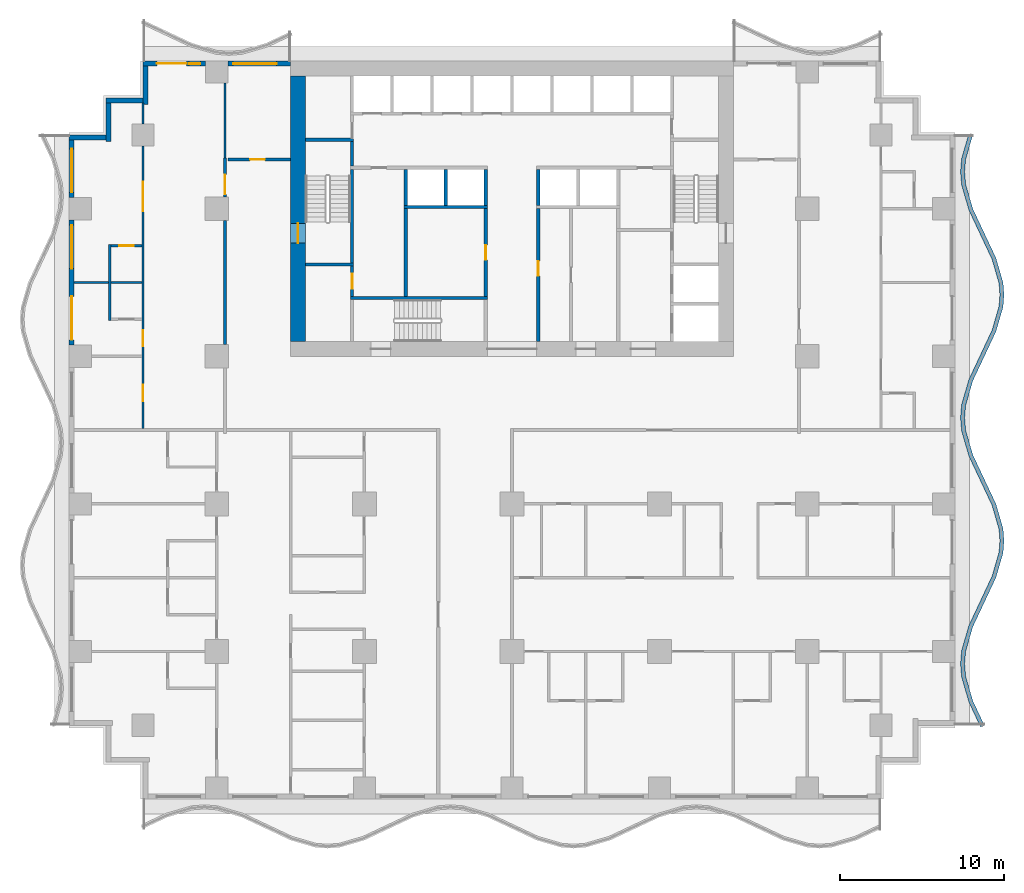
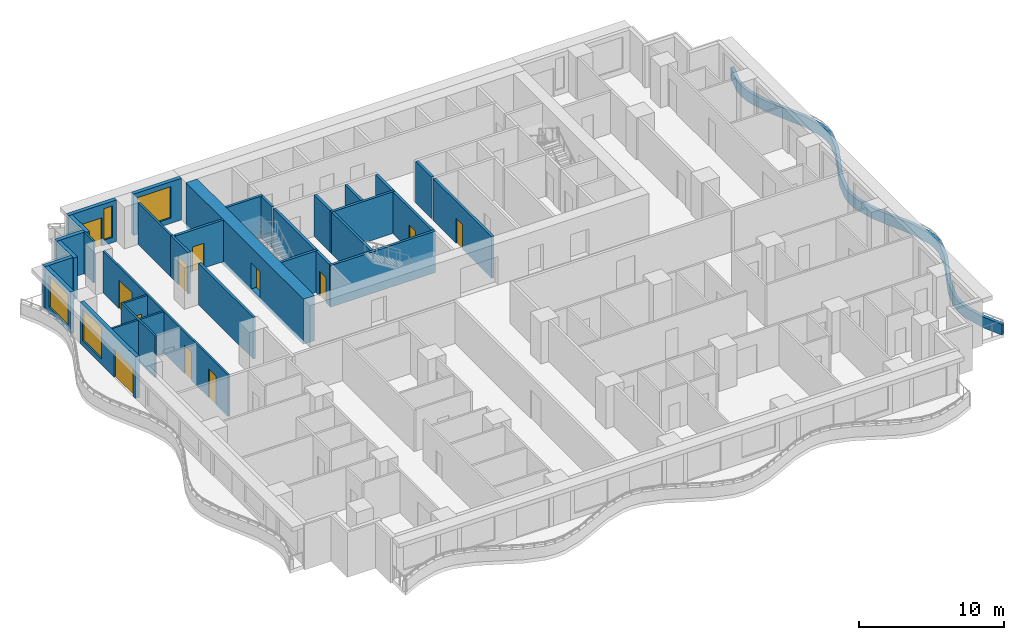
# One storey, part 5 of 14: 34 walls, 12 doors, 4 windows, 16 openings.
"""IFC4 building model written with IfcOpenShell, lengths in metres."""

from ifc_helpers import new_model, si_unit, direction, frame, frame_2d, origin, place, context, subcontext, project, spatial, polyline, rectangle, outline, extrude, material, layer, layer_set, type_object, element, fill, save


model = new_model("IFC4")

# Units and contexts
model_context = context("Model", 3, precision=1e-05, world=origin(), true_north=direction((0.0, 1.0)))
body_context = subcontext(model_context, "Body", "Model", "MODEL_VIEW")
ifc_project = project(units=[si_unit("LENGTHUNIT", "METRE"), si_unit("AREAUNIT", "SQUARE_METRE"), si_unit("VOLUMEUNIT", "CUBIC_METRE"), si_unit("PLANEANGLEUNIT", "RADIAN"), si_unit("MASSUNIT", "GRAM", prefix="KILO")], contexts=[model_context])

# Site, building, storey
site_placement = place(None, origin())
site = spatial("IfcSite", under=ifc_project, at=site_placement, CompositionType="ELEMENT")
building_placement = place(site_placement, origin())
building = spatial("IfcBuilding", under=site, at=building_placement, Name="Orbiselva Terraces", CompositionType="ELEMENT")
storey_placement = place(building_placement, frame((0.0, 0.0, 60.6)))
storey = spatial("IfcBuildingStorey", under=building, at=storey_placement, Name="L15", CompositionType="ELEMENT", Elevation=60.6)

# Wall, opening, door
ifc_material_1 = material(Name="Concrete C80/95", Category="concrete")
ifc_layer_1 = layer(ifc_material_1, 0.9)
ifc_layer_set_1 = layer_set([ifc_layer_1], Name="Concrete C80/95")
wall_type_1 = type_object("IfcWallType", Name="CORE WALL 900", PredefinedType="SHEAR", material=ifc_layer_set_1)
wall_1_placement = place(storey_placement, frame((-13.05, 21.6, -0.3), z_axis=(0.0, 0.0, 1.0), x_axis=(0.0, -1.0, 0.0)))
wall_1 = element("IfcWall", 1, at=wall_1_placement, inside=storey, type_object=wall_type_1, Name="Core wall L15 west", PredefinedType="SHEAR", context=body_context, shape_type="SweptSolid", body=[
    extrude(rectangle(XDim=16.2, YDim=0.9, at=frame_2d((8.1, 0.0))), origin(), (0.0, 0.0, 1.0), 3.8),
])
opening_1_placement = place(wall_1_placement, frame((9.0, 0.0, 0.3)))
opening_1 = element("IfcOpeningElement", 2, at=opening_1_placement, cuts=wall_1, Name="Opening DS1200", PredefinedType="OPENING", context=body_context, shape_type="SweptSolid", body=[
    extrude(rectangle(XDim=1.2, YDim=2.2, at=frame_2d((0.6, 1.1))), frame((0.0, 0.46, 0.0), z_axis=(0.0, -1.0, 0.0), x_axis=(1.0, 0.0, 0.0)), (0.0, 0.0, 1.0), 0.92),
])
ifc_material_2 = material(Name="Steel fire door", Category="steel")
door_type_1 = type_object("IfcDoorType", Name="STAIR DOOR 1200", OperationType="NOTDEFINED", PredefinedType="DOOR", material=ifc_material_2)
door_1_placement = place(opening_1_placement, frame((1.2, 0.0, 0.0), z_axis=(0.0, 0.0, 1.0), x_axis=(-1.0, 0.0, 0.0)))
door_1 = element("IfcDoor", 3, at=door_1_placement, inside=storey, type_object=door_type_1, Name="L15 EXIT STAIR S1 door", OperationType="SINGLE_SWING_RIGHT", OverallHeight=2.2, OverallWidth=1.2, PredefinedType="DOOR", context=body_context, shape_type="SweptSolid", body=[
    extrude(rectangle(XDim=1.2, YDim=2.2, at=frame_2d((0.6, 1.1))), frame((0.0, 0.025, 0.0), z_axis=(0.0, -1.0, 0.0), x_axis=(1.0, 0.0, 0.0)), (0.0, 0.0, 1.0), 0.05),
])
fill(opening_1, door_1)

ifc_material_3 = material(Name="Masonry blockwork", Category="masonry")
ifc_layer_2 = layer(ifc_material_3, 0.2)
ifc_layer_set_2 = layer_set([ifc_layer_2], Name="Masonry blockwork")
wall_type_2 = type_object("IfcWallType", Name="CORE-WALL-PARTITION-200", PredefinedType="PARTITIONING", material=ifc_layer_set_2)
wall_2_placement = place(storey_placement, frame((-9.75, 8.15, 0.0), z_axis=(0.0, 0.0, 1.0), x_axis=(0.0, 1.0, 0.0)))
wall_2 = element("IfcWall", 4, at=wall_2_placement, inside=storey, type_object=wall_type_2, Name="L15 core wall 05", PredefinedType="PARTITIONING", context=body_context, shape_type="SweptSolid", body=[
    extrude(rectangle(XDim=1.85, YDim=0.2, at=frame_2d((0.925, 0.0))), origin(), (0.0, 0.0, 1.0), 3.5),
])
opening_2_placement = place(wall_2_placement, frame((0.475, 0.0, 0.0)))
opening_2 = element("IfcOpeningElement", 5, at=opening_2_placement, cuts=wall_2, Name="Opening DR900", PredefinedType="OPENING", context=body_context, shape_type="SweptSolid", body=[
    extrude(rectangle(XDim=0.9, YDim=2.1, at=frame_2d((0.45, 1.05))), frame((0.0, 0.11, 0.0), z_axis=(0.0, -1.0, 0.0), x_axis=(1.0, 0.0, 0.0)), (0.0, 0.0, 1.0), 0.22),
])
door_type_2 = type_object("IfcDoorType", Name="ROOM DOOR 900", OperationType="NOTDEFINED", PredefinedType="DOOR", material=ifc_material_2)
door_2_placement = place(opening_2_placement, origin())
door_2 = element("IfcDoor", 6, at=door_2_placement, inside=storey, type_object=door_type_2, Name="L15 STAFF WC door", OperationType="SINGLE_SWING_RIGHT", OverallHeight=2.1, OverallWidth=0.9, PredefinedType="DOOR", context=body_context, shape_type="SweptSolid", body=[
    extrude(rectangle(XDim=0.9, YDim=2.1, at=frame_2d((0.45, 1.05))), frame((0.0, 0.025, 0.0), z_axis=(0.0, -1.0, 0.0), x_axis=(1.0, 0.0, 0.0)), (0.0, 0.0, 1.0), 0.05),
])
fill(opening_2, door_2)

# Walls
wall_3_placement = place(storey_placement, frame((-6.475, 8.15, 0.0), z_axis=(0.0, 0.0, 1.0), x_axis=(0.0, 1.0, 0.0)))
element("IfcWall", 7, at=wall_3_placement, inside=storey, type_object=wall_type_2, Name="L15 core wall 13", PredefinedType="PARTITIONING", context=body_context, shape_type="SweptSolid", body=[
    extrude(rectangle(XDim=5.35, YDim=0.2, at=frame_2d((2.675, 0.0))), origin(), (0.0, 0.0, 1.0), 3.5),
])
ifc_material_4 = material(Name="Concrete C40/50", Category="concrete")
ifc_layer_3 = layer(ifc_material_4, 0.2)
ifc_layer_set_3 = layer_set([ifc_layer_3], Name="Concrete C40/50")
wall_type_3 = type_object("IfcWallType", Name="CORE-WALL-SHAFT-200", PredefinedType="PARTITIONING", material=ifc_layer_set_3)
for number, where, z_axis, x_axis, name in (
    (8, (-6.475, 13.7, 0.0), (0.0, 0.0, 1.0), (0.0, 1.0, 0.0), "L15 core wall 15"),
    (9, (-4.0375, 13.7, 0.0), (0.0, 0.0, 1.0), (0.0, 1.0, 0.0), "L15 core wall 17"),
    (10, (-1.6, 13.7, 0.0), (0.0, 0.0, 1.0), (0.0, 1.0, 0.0), "L15 core wall 21"),
    (11, (1.6, 13.7, 0.0), (0.0, 0.0, 1.0), (0.0, 1.0, 0.0), "L15 core wall 25"),
):
    element("IfcWall", number, at=place(storey_placement, frame(where, z_axis=z_axis, x_axis=x_axis)), inside=storey, type_object=wall_type_3, Name=name, PredefinedType="PARTITIONING", context=body_context, shape_type="SweptSolid", body=[
        extrude(rectangle(XDim=2.2, YDim=0.2, at=frame_2d((1.1, 0.0))), origin(), (0.0, 0.0, 1.0), 3.5),
    ])
ifc_material_5 = material(Name="Concrete C60/75", Category="concrete")
ifc_layer_4 = layer(ifc_material_5, 0.2)
ifc_layer_set_4 = layer_set([ifc_layer_4], Name="Concrete C60/75")
wall_type_4 = type_object("IfcWallType", Name="CORE-WALL-SHEAR-200", PredefinedType="SHEAR", material=ifc_layer_set_4)
for number, where, z_axis, x_axis, name in (
    (12, (-12.6, 10.1, 0.0), (0.0, 0.0, 1.0), (1.0, 0.0, 0.0), "L15 core wall 01"),
    (13, (-12.6, 17.7, 0.0), (0.0, 0.0, 1.0), (1.0, 0.0, 0.0), "L15 core wall 02"),
):
    element("IfcWall", number, at=place(storey_placement, frame(where, z_axis=z_axis, x_axis=x_axis)), inside=storey, type_object=wall_type_4, Name=name, PredefinedType="SHEAR", context=body_context, shape_type="SweptSolid", body=[
        extrude(rectangle(XDim=2.95, YDim=0.2, at=frame_2d((1.475, 0.0))), origin(), (0.0, 0.0, 1.0), 3.5),
    ])
wall_4_placement = place(storey_placement, frame((-9.85, 8.05, 0.0), z_axis=(0.0, 0.0, 1.0), x_axis=(1.0, 0.0, 0.0)))
element("IfcWall", 14, at=wall_4_placement, inside=storey, type_object=wall_type_4, Name="L15 core wall 04", PredefinedType="SHEAR", context=body_context, shape_type="SweptSolid", body=[
    extrude(rectangle(XDim=8.35, YDim=0.2, at=frame_2d((4.175, 0.0))), origin(), (0.0, 0.0, 1.0), 3.5),
])
wall_5_placement = place(storey_placement, frame((-9.75, 10.2, 0.0), z_axis=(0.0, 0.0, 1.0), x_axis=(0.0, 1.0, 0.0)))
element("IfcWall", 15, at=wall_5_placement, inside=storey, type_object=wall_type_4, Name="L15 core wall 06", PredefinedType="SHEAR", context=body_context, shape_type="SweptSolid", body=[
    extrude(rectangle(XDim=5.7, YDim=0.2, at=frame_2d((2.85, 0.0))), origin(), (0.0, 0.0, 1.0), 3.5),
])
wall_6_placement = place(storey_placement, frame((-9.75, 16.1, 0.0), z_axis=(0.0, 0.0, 1.0), x_axis=(0.0, 1.0, 0.0)))
element("IfcWall", 16, at=wall_6_placement, inside=storey, type_object=wall_type_4, Name="L15 core wall 08", PredefinedType="SHEAR", context=body_context, shape_type="SweptSolid", body=[
    extrude(rectangle(XDim=1.5, YDim=0.2, at=frame_2d((0.75, 0.0))), origin(), (0.0, 0.0, 1.0), 3.5),
])
wall_7_placement = place(storey_placement, frame((-6.575, 13.6, 0.0), z_axis=(0.0, 0.0, 1.0), x_axis=(1.0, 0.0, 0.0)))
element("IfcWall", 17, at=wall_7_placement, inside=storey, type_object=wall_type_4, Name="L15 core wall 14", PredefinedType="SHEAR", context=body_context, shape_type="SweptSolid", body=[
    extrude(rectangle(XDim=5.075, YDim=0.2, at=frame_2d((2.5375, 0.0))), origin(), (0.0, 0.0, 1.0), 3.5),
])

# Wall, opening, door
wall_8_placement = place(storey_placement, frame((-1.6, 8.15, 0.0), z_axis=(0.0, 0.0, 1.0), x_axis=(0.0, 1.0, 0.0)))
wall_8 = element("IfcWall", 18, at=wall_8_placement, inside=storey, type_object=wall_type_4, Name="L15 core wall 20", PredefinedType="SHEAR", context=body_context, shape_type="SweptSolid", body=[
    extrude(rectangle(XDim=5.35, YDim=0.2, at=frame_2d((2.675, 0.0))), origin(), (0.0, 0.0, 1.0), 3.5),
])
opening_3_placement = place(wall_8_placement, frame((2.225, 0.0, 0.0)))
opening_3 = element("IfcOpeningElement", 19, at=opening_3_placement, cuts=wall_8, Name="Opening DR900", PredefinedType="OPENING", context=body_context, shape_type="SweptSolid", body=[
    extrude(rectangle(XDim=0.9, YDim=2.1, at=frame_2d((0.45, 1.05))), frame((0.0, 0.11, 0.0), z_axis=(0.0, -1.0, 0.0), x_axis=(1.0, 0.0, 0.0)), (0.0, 0.0, 1.0), 0.22),
])
door_3_placement = place(opening_3_placement, origin())
door_3 = element("IfcDoor", 20, at=door_3_placement, inside=storey, type_object=door_type_2, Name="L15 HOUSEKEEPING STORE door", OperationType="SINGLE_SWING_RIGHT", OverallHeight=2.1, OverallWidth=0.9, PredefinedType="DOOR", context=body_context, shape_type="SweptSolid", body=[
    extrude(rectangle(XDim=0.9, YDim=2.1, at=frame_2d((0.45, 1.05))), frame((0.0, 0.025, 0.0), z_axis=(0.0, -1.0, 0.0), x_axis=(1.0, 0.0, 0.0)), (0.0, 0.0, 1.0), 0.05),
])
fill(opening_3, door_3)

wall_9_placement = place(storey_placement, frame((1.6, 13.5, 0.0), z_axis=(0.0, 0.0, 1.0), x_axis=(0.0, -1.0, 0.0)))
wall_9 = element("IfcWall", 21, at=wall_9_placement, inside=storey, type_object=wall_type_4, Name="L15 core wall 23", PredefinedType="SHEAR", context=body_context, shape_type="SweptSolid", body=[
    extrude(rectangle(XDim=8.1, YDim=0.2, at=frame_2d((4.05, 0.0))), origin(), (0.0, 0.0, 1.0), 3.5),
])
opening_4_placement = place(wall_9_placement, frame((3.2, 0.0, 0.0)))
opening_4 = element("IfcOpeningElement", 22, at=opening_4_placement, cuts=wall_9, Name="Opening DR900", PredefinedType="OPENING", context=body_context, shape_type="SweptSolid", body=[
    extrude(rectangle(XDim=0.9, YDim=2.1, at=frame_2d((0.45, 1.05))), frame((0.0, 0.11, 0.0), z_axis=(0.0, -1.0, 0.0), x_axis=(1.0, 0.0, 0.0)), (0.0, 0.0, 1.0), 0.22),
])
door_4_placement = place(opening_4_placement, origin())
door_4 = element("IfcDoor", 23, at=door_4_placement, inside=storey, type_object=door_type_2, Name="L15 COMMS ROOM door", OperationType="SINGLE_SWING_LEFT", OverallHeight=2.1, OverallWidth=0.9, PredefinedType="DOOR", context=body_context, shape_type="SweptSolid", body=[
    extrude(rectangle(XDim=0.9, YDim=2.1, at=frame_2d((0.45, 1.05))), frame((0.0, 0.025, 0.0), z_axis=(0.0, -1.0, 0.0), x_axis=(1.0, 0.0, 0.0)), (0.0, 0.0, 1.0), 0.05),
])
fill(opening_4, door_4)

# Wall
ifc_layer_5 = layer(ifc_material_4, 0.25)
ifc_layer_set_5 = layer_set([ifc_layer_5], Name="Concrete C40/50")
wall_type_5 = type_object("IfcWallType", Name="ENV-PLANTER-250x900", PredefinedType="USERDEFINED", material=ifc_layer_set_5)
wall_10_placement = place(storey_placement, origin())
element("IfcWall", 24, at=wall_10_placement, inside=storey, type_object=wall_type_5, Name="Balcony planter L15 E", ObjectType="PLANTER", PredefinedType="USERDEFINED", context=body_context, shape_type="SweptSolid", body=[
    extrude(outline(polyline([(28.8, -18.0), (28.094658, -16.5), (27.658732, -15.0), (27.6, -14.25), (27.658732, -13.5), (28.094658, -12.0), (28.8, -10.5), (29.505342, -9.0), (29.941268, -7.5), (30.0, -6.75), (29.941268, -6.0), (29.505342, -4.5), (28.8, -3.0), (28.094658, -1.5), (27.658732, 0.0), (27.6, 0.75), (27.658732, 1.5), (28.094658, 3.0), (28.8, 4.5), (29.505342, 6.0), (29.941268, 7.5), (30.0, 8.25), (29.941268, 9.0), (29.505342, 10.5), (28.8, 12.0), (28.094658, 13.5), (27.658732, 15.0), (27.6, 15.75), (27.658732, 16.5), (28.094658, 18.0), (27.85459, 18.069768), (27.411499, 16.545114), (27.349235, 15.75), (27.411499, 14.954886), (27.860069, 13.411382), (28.573764, 11.893617), (29.270753, 10.411382), (29.694035, 8.954886), (29.749235, 8.25), (29.694035, 7.545114), (29.270753, 6.088618), (28.573764, 4.606383), (27.860069, 3.088618), (27.411499, 1.545114), (27.349235, 0.75), (27.411499, -0.045114), (27.860069, -1.588618), (28.573764, -3.106383), (29.270753, -4.588618), (29.694035, -6.045114), (29.749235, -6.75), (29.694035, -7.454886), (29.270753, -8.911382), (28.573764, -10.393617), (27.860069, -11.911382), (27.411499, -13.454886), (27.349235, -14.25), (27.411499, -15.045114), (27.860069, -16.588618), (28.573764, -18.106383), (28.8, -18.0)])), origin(), (0.0, 0.0, 1.0), 0.9),
])

# Wall, opening, window
ifc_material_6 = material(Name="Terracotta cladding on masonry backing", Category="masonry")
ifc_layer_6 = layer(ifc_material_6, 0.3)
ifc_layer_set_6 = layer_set([ifc_layer_6], Name="Terracotta cladding on masonry backing")
wall_type_6 = type_object("IfcWallType", Name="ENV-WALL-TERRACOTTA-300", PredefinedType="SOLIDWALL", material=ifc_layer_set_6)
wall_11_placement = place(storey_placement, frame((-17.325, 22.35, 0.0), z_axis=(0.0, 0.0, 1.0), x_axis=(1.0, 0.0, 0.0)))
wall_11 = element("IfcWall", 25, at=wall_11_placement, inside=storey, type_object=wall_type_6, Name="Facade wall L15 NW", PredefinedType="SOLIDWALL", context=body_context, shape_type="SweptSolid", body=[
    extrude(rectangle(XDim=3.825, YDim=0.3, at=frame_2d((1.9125, 0.0))), origin(), (0.0, 0.0, 1.0), 3.5),
])
opening_5_placement = place(wall_11_placement, frame((0.325, 0.0, 0.45)))
opening_5 = element("IfcOpeningElement", 26, at=opening_5_placement, cuts=wall_11, Name="Opening WN3", PredefinedType="OPENING", context=body_context, shape_type="SweptSolid", body=[
    extrude(rectangle(XDim=2.65, YDim=2.65, at=frame_2d((1.325, 1.325))), frame((0.0, 0.16, 0.0), z_axis=(0.0, -1.0, 0.0), x_axis=(1.0, 0.0, 0.0)), (0.0, 0.0, 1.0), 0.32),
])
ifc_material_7 = material(Name="Clear low-e glazing in aluminium frame", Category="aluminium")
window_type_1 = type_object("IfcWindowType", Name="WINDOW 2650 X 2650 S450", PartitioningType="TRIPLE_PANEL_VERTICAL", PredefinedType="WINDOW", material=ifc_material_7)
window_1_placement = place(opening_5_placement, origin())
window_1 = element("IfcWindow", 27, at=window_1_placement, inside=storey, type_object=window_type_1, Name="Window L15 NW", OverallHeight=2.65, OverallWidth=2.65, PartitioningType="SINGLE_PANEL", PredefinedType="WINDOW", context=body_context, shape_type="SweptSolid", body=[
    extrude(rectangle(XDim=2.65, YDim=2.65, at=frame_2d((1.325, 1.325))), frame((0.0, 0.03, 0.0), z_axis=(0.0, -1.0, 0.0), x_axis=(1.0, 0.0, 0.0)), (0.0, 0.0, 1.0), 0.06),
])
fill(opening_5, window_1)

# Wall, openings, door, window
wall_12_placement = place(storey_placement, frame((-22.5, 22.35, 0.0), z_axis=(0.0, 0.0, 1.0), x_axis=(1.0, 0.0, 0.0)))
wall_12 = element("IfcWall", 28, at=wall_12_placement, inside=storey, type_object=wall_type_6, Name="Facade wall L15 NW", PredefinedType="SOLIDWALL", context=body_context, shape_type="SweptSolid", body=[
    extrude(rectangle(XDim=3.825, YDim=0.3, at=frame_2d((1.9125, 0.0))), origin(), (0.0, 0.0, 1.0), 3.5),
])
opening_6_placement = place(wall_12_placement, frame((2.8, 0.0, 0.45)))
opening_6 = element("IfcOpeningElement", 29, at=opening_6_placement, cuts=wall_12, Name="Opening WN4", PredefinedType="OPENING", context=body_context, shape_type="SweptSolid", body=[
    extrude(rectangle(XDim=0.7, YDim=2.65, at=frame_2d((0.35, 1.325))), frame((0.0, 0.16, 0.0), z_axis=(0.0, -1.0, 0.0), x_axis=(1.0, 0.0, 0.0)), (0.0, 0.0, 1.0), 0.32),
])
opening_7_placement = place(wall_12_placement, frame((0.85, 0.0, 0.0)))
opening_7 = element("IfcOpeningElement", 30, at=opening_7_placement, cuts=wall_12, Name="Opening Z1-E-E16", PredefinedType="OPENING", context=body_context, shape_type="SweptSolid", body=[
    extrude(rectangle(XDim=1.8, YDim=2.4, at=frame_2d((0.9, 1.2))), frame((0.0, 0.16, 0.0), z_axis=(0.0, -1.0, 0.0), x_axis=(1.0, 0.0, 0.0)), (0.0, 0.0, 1.0), 0.32),
])
door_type_3 = type_object("IfcDoorType", Name="BALCONY DOOR 1800 X 2400", OperationType="DOUBLE_DOOR_SLIDING", PredefinedType="DOOR", material=ifc_material_7)
door_5_placement = place(opening_7_placement, origin())
door_5 = element("IfcDoor", 31, at=door_5_placement, inside=storey, type_object=door_type_3, Name="Z1-E-E16", OperationType="SINGLE_SWING_LEFT", OverallHeight=2.4, OverallWidth=1.8, PredefinedType="DOOR", context=body_context, shape_type="SweptSolid", body=[
    extrude(rectangle(XDim=1.8, YDim=2.4, at=frame_2d((0.9, 1.2))), frame((0.0, 0.025, 0.0), z_axis=(0.0, -1.0, 0.0), x_axis=(1.0, 0.0, 0.0)), (0.0, 0.0, 1.0), 0.05),
])
fill(opening_7, door_5)
window_type_2 = type_object("IfcWindowType", Name="WINDOW 700 X 2650 S450", PartitioningType="TRIPLE_PANEL_VERTICAL", PredefinedType="WINDOW", material=ifc_material_7)
window_2_placement = place(opening_6_placement, origin())
window_2 = element("IfcWindow", 32, at=window_2_placement, inside=storey, type_object=window_type_2, Name="Window L15 NW", OverallHeight=2.65, OverallWidth=0.7, PartitioningType="SINGLE_PANEL", PredefinedType="WINDOW", context=body_context, shape_type="SweptSolid", body=[
    extrude(rectangle(XDim=0.7, YDim=2.65, at=frame_2d((0.35, 1.325))), frame((0.0, 0.03, 0.0), z_axis=(0.0, -1.0, 0.0), x_axis=(1.0, 0.0, 0.0)), (0.0, 0.0, 1.0), 0.06),
])
fill(opening_6, window_2)

# Walls
wall_13_placement = place(storey_placement, frame((-22.35, 19.85, 0.0), z_axis=(0.0, 0.0, 1.0), x_axis=(0.0, 1.0, 0.0)))
element("IfcWall", 33, at=wall_13_placement, inside=storey, type_object=wall_type_6, Name="Facade wall L15 STEP", PredefinedType="SOLIDWALL", context=body_context, shape_type="SweptSolid", body=[
    extrude(rectangle(XDim=2.35, YDim=0.3, at=frame_2d((1.175, 0.0))), origin(), (0.0, 0.0, 1.0), 3.5),
])
wall_14_placement = place(storey_placement, frame((-24.75, 20.1, 0.0), z_axis=(0.0, 0.0, 1.0), x_axis=(1.0, 0.0, 0.0)))
element("IfcWall", 34, at=wall_14_placement, inside=storey, type_object=wall_type_6, Name="Facade wall L15 STEP", PredefinedType="SOLIDWALL", context=body_context, shape_type="SweptSolid", body=[
    extrude(rectangle(XDim=2.25, YDim=0.3, at=frame_2d((1.125, 0.0))), origin(), (0.0, 0.0, 1.0), 3.5),
])
wall_15_placement = place(storey_placement, frame((-24.6, 17.6, 0.0), z_axis=(0.0, 0.0, 1.0), x_axis=(0.0, 1.0, 0.0)))
element("IfcWall", 35, at=wall_15_placement, inside=storey, type_object=wall_type_6, Name="Facade wall L15 STEP", PredefinedType="SOLIDWALL", context=body_context, shape_type="SweptSolid", body=[
    extrude(rectangle(XDim=2.35, YDim=0.3, at=frame_2d((1.175, 0.0))), origin(), (0.0, 0.0, 1.0), 3.5),
])
wall_16_placement = place(storey_placement, frame((-27.0, 17.85, 0.0), z_axis=(0.0, 0.0, 1.0), x_axis=(1.0, 0.0, 0.0)))
element("IfcWall", 36, at=wall_16_placement, inside=storey, type_object=wall_type_6, Name="Facade wall L15 STEP", PredefinedType="SOLIDWALL", context=body_context, shape_type="SweptSolid", body=[
    extrude(rectangle(XDim=2.25, YDim=0.3, at=frame_2d((1.125, 0.0))), origin(), (0.0, 0.0, 1.0), 3.5),
])

# Wall, opening, window
wall_17_placement = place(storey_placement, frame((-26.85, 14.175, 0.0), z_axis=(0.0, 0.0, 1.0), x_axis=(0.0, 1.0, 0.0)))
wall_17 = element("IfcWall", 37, at=wall_17_placement, inside=storey, type_object=wall_type_6, Name="Facade wall L15 W", PredefinedType="SOLIDWALL", context=body_context, shape_type="SweptSolid", body=[
    extrude(rectangle(XDim=3.525, YDim=0.3, at=frame_2d((1.7625, 0.0))), origin(), (0.0, 0.0, 1.0), 3.5),
])
opening_8_placement = place(wall_17_placement, frame((0.325, 0.0, 0.45)))
opening_8 = element("IfcOpeningElement", 38, at=opening_8_placement, cuts=wall_17, Name="Opening WN3", PredefinedType="OPENING", context=body_context, shape_type="SweptSolid", body=[
    extrude(rectangle(XDim=2.65, YDim=2.65, at=frame_2d((1.325, 1.325))), frame((0.0, 0.16, 0.0), z_axis=(0.0, -1.0, 0.0), x_axis=(1.0, 0.0, 0.0)), (0.0, 0.0, 1.0), 0.32),
])
window_3_placement = place(opening_8_placement, origin())
window_3 = element("IfcWindow", 39, at=window_3_placement, inside=storey, type_object=window_type_1, Name="Window L15 W", OverallHeight=2.65, OverallWidth=2.65, PartitioningType="SINGLE_PANEL", PredefinedType="WINDOW", context=body_context, shape_type="SweptSolid", body=[
    extrude(rectangle(XDim=2.65, YDim=2.65, at=frame_2d((1.325, 1.325))), frame((0.0, 0.03, 0.0), z_axis=(0.0, -1.0, 0.0), x_axis=(1.0, 0.0, 0.0)), (0.0, 0.0, 1.0), 0.06),
])
fill(opening_8, window_3)

# Wall, openings, door, window
wall_18_placement = place(storey_placement, frame((-26.85, 5.175, 0.0), z_axis=(0.0, 0.0, 1.0), x_axis=(0.0, 1.0, 0.0)))
wall_18 = element("IfcWall", 40, at=wall_18_placement, inside=storey, type_object=wall_type_6, Name="Facade wall L15 W", PredefinedType="SOLIDWALL", context=body_context, shape_type="SweptSolid", body=[
    extrude(rectangle(XDim=7.65, YDim=0.3, at=frame_2d((3.825, 0.0))), origin(), (0.0, 0.0, 1.0), 3.5),
])
opening_9_placement = place(wall_18_placement, frame((4.675, 0.0, 0.45)))
opening_9 = element("IfcOpeningElement", 41, at=opening_9_placement, cuts=wall_18, Name="Opening WN3", PredefinedType="OPENING", context=body_context, shape_type="SweptSolid", body=[
    extrude(rectangle(XDim=2.65, YDim=2.65, at=frame_2d((1.325, 1.325))), frame((0.0, 0.16, 0.0), z_axis=(0.0, -1.0, 0.0), x_axis=(1.0, 0.0, 0.0)), (0.0, 0.0, 1.0), 0.32),
])
opening_10_placement = place(wall_18_placement, frame((0.325, 0.0, 0.0)))
opening_10 = element("IfcOpeningElement", 42, at=opening_10_placement, cuts=wall_18, Name="Opening Z1-E-E10", PredefinedType="OPENING", context=body_context, shape_type="SweptSolid", body=[
    extrude(rectangle(XDim=2.65, YDim=2.4, at=frame_2d((1.325, 1.2))), frame((0.0, 0.16, 0.0), z_axis=(0.0, -1.0, 0.0), x_axis=(1.0, 0.0, 0.0)), (0.0, 0.0, 1.0), 0.32),
])
door_type_4 = type_object("IfcDoorType", Name="BALCONY DOOR 2650 X 2400", OperationType="DOUBLE_DOOR_SLIDING", PredefinedType="DOOR", material=ifc_material_7)
door_6_placement = place(opening_10_placement, origin())
door_6 = element("IfcDoor", 43, at=door_6_placement, inside=storey, type_object=door_type_4, Name="Z1-E-E10", OperationType="SINGLE_SWING_LEFT", OverallHeight=2.4, OverallWidth=2.65, PredefinedType="DOOR", context=body_context, shape_type="SweptSolid", body=[
    extrude(rectangle(XDim=2.65, YDim=2.4, at=frame_2d((1.325, 1.2))), frame((0.0, 0.025, 0.0), z_axis=(0.0, -1.0, 0.0), x_axis=(1.0, 0.0, 0.0)), (0.0, 0.0, 1.0), 0.05),
])
fill(opening_10, door_6)
window_4_placement = place(opening_9_placement, origin())
window_4 = element("IfcWindow", 44, at=window_4_placement, inside=storey, type_object=window_type_1, Name="Window L15 W", OverallHeight=2.65, OverallWidth=2.65, PartitioningType="SINGLE_PANEL", PredefinedType="WINDOW", context=body_context, shape_type="SweptSolid", body=[
    extrude(rectangle(XDim=2.65, YDim=2.65, at=frame_2d((1.325, 1.325))), frame((0.0, 0.03, 0.0), z_axis=(0.0, -1.0, 0.0), x_axis=(1.0, 0.0, 0.0)), (0.0, 0.0, 1.0), 0.06),
])
fill(opening_9, window_4)

# Wall, opening, door
ifc_material_8 = material(Name="Plasterboard on steel stud partition", Category="steel")
ifc_layer_7 = layer(ifc_material_8, 0.2)
ifc_layer_set_7 = layer_set([ifc_layer_7], Name="Plasterboard on steel stud partition")
wall_type_7 = type_object("IfcWallType", Name="UNIT-ENTRANCE-WALL-200", PredefinedType="PARTITIONING", material=ifc_layer_set_7)
wall_19_placement = place(storey_placement, frame((-17.325, 16.5, 0.0), z_axis=(0.0, 0.0, 1.0), x_axis=(1.0, 0.0, 0.0)))
wall_19 = element("IfcWall", 45, at=wall_19_placement, inside=storey, type_object=wall_type_7, Name="PARTITION L15-042", PredefinedType="PARTITIONING", context=body_context, shape_type="SweptSolid", body=[
    extrude(rectangle(XDim=3.825, YDim=0.2, at=frame_2d((1.9125, 0.0))), origin(), (0.0, 0.0, 1.0), 3.5),
])
opening_11_placement = place(wall_19_placement, frame((1.35, 0.0, 0.0)))
opening_11 = element("IfcOpeningElement", 46, at=opening_11_placement, cuts=wall_19, Name="Opening Z1-E-01", PredefinedType="OPENING", context=body_context, shape_type="SweptSolid", body=[
    extrude(rectangle(XDim=0.9, YDim=2.1, at=frame_2d((0.45, 1.05))), frame((0.0, 0.11, 0.0), z_axis=(0.0, -1.0, 0.0), x_axis=(1.0, 0.0, 0.0)), (0.0, 0.0, 1.0), 0.22),
])
ifc_material_9 = material(Name="Painted timber door leaf", Category="wood")
door_type_5 = type_object("IfcDoorType", Name="SERVICE DOOR 900", OperationType="NOTDEFINED", PredefinedType="DOOR", material=ifc_material_9)
door_7_placement = place(opening_11_placement, origin())
door_7 = element("IfcDoor", 47, at=door_7_placement, inside=storey, type_object=door_type_5, Name="Z1-E-01", OperationType="SINGLE_SWING_LEFT", OverallHeight=2.1, OverallWidth=0.9, PredefinedType="DOOR", context=body_context, shape_type="SweptSolid", body=[
    extrude(rectangle(XDim=0.9, YDim=2.1, at=frame_2d((0.45, 1.05))), frame((0.0, 0.025, 0.0), z_axis=(0.0, -1.0, 0.0), x_axis=(1.0, 0.0, 0.0)), (0.0, 0.0, 1.0), 0.05),
])
fill(opening_11, door_7)

# Wall
wall_20_placement = place(storey_placement, frame((-17.5, 5.225, 0.0), z_axis=(0.0, 0.0, 1.0), x_axis=(0.0, 1.0, 0.0)))
element("IfcWall", 48, at=wall_20_placement, inside=storey, type_object=wall_type_7, Name="PARTITION L15-054", PredefinedType="PARTITIONING", context=body_context, shape_type="SweptSolid", body=[
    extrude(rectangle(XDim=7.55, YDim=0.2, at=frame_2d((3.775, 0.0))), origin(), (0.0, 0.0, 1.0), 3.5),
])

# Wall, opening, door
wall_21_placement = place(storey_placement, frame((-17.5, 14.225, 0.0), z_axis=(0.0, 0.0, 1.0), x_axis=(0.0, 1.0, 0.0)))
wall_21 = element("IfcWall", 49, at=wall_21_placement, inside=storey, type_object=wall_type_7, Name="PARTITION L15-055", PredefinedType="PARTITIONING", context=body_context, shape_type="SweptSolid", body=[
    extrude(rectangle(XDim=2.375, YDim=0.2, at=frame_2d((1.1875, 0.0))), origin(), (0.0, 0.0, 1.0), 3.5),
])
opening_12_placement = place(wall_21_placement, frame((0.15, 0.0, 0.0)))
opening_12 = element("IfcOpeningElement", 50, at=opening_12_placement, cuts=wall_21, Name="Opening Z1-E-03", PredefinedType="OPENING", context=body_context, shape_type="SweptSolid", body=[
    extrude(rectangle(XDim=1.2, YDim=2.4, at=frame_2d((0.6, 1.2))), frame((0.0, 0.11, 0.0), z_axis=(0.0, -1.0, 0.0), x_axis=(1.0, 0.0, 0.0)), (0.0, 0.0, 1.0), 0.22),
])
door_type_6 = type_object("IfcDoorType", Name="ENTRANCE DOOR 1200", OperationType="NOTDEFINED", PredefinedType="DOOR", material=ifc_material_9)
door_8_placement = place(opening_12_placement, origin())
door_8 = element("IfcDoor", 51, at=door_8_placement, inside=storey, type_object=door_type_6, Name="Z1-E-03", OperationType="SINGLE_SWING_LEFT", OverallHeight=2.4, OverallWidth=1.2, PredefinedType="DOOR", context=body_context, shape_type="SweptSolid", body=[
    extrude(rectangle(XDim=1.2, YDim=2.4, at=frame_2d((0.6, 1.2))), frame((0.0, 0.025, 0.0), z_axis=(0.0, -1.0, 0.0), x_axis=(1.0, 0.0, 0.0)), (0.0, 0.0, 1.0), 0.05),
])
fill(opening_12, door_8)

# Walls
ifc_layer_8 = layer(ifc_material_8, 0.15)
ifc_layer_set_8 = layer_set([ifc_layer_8], Name="Plasterboard on steel stud partition")
wall_type_8 = type_object("IfcWallType", Name="UNIT-PARTITION-150", PredefinedType="PARTITIONING", material=ifc_layer_set_8)
wall_22_placement = place(storey_placement, frame((-26.7, 9.0, 0.0), z_axis=(0.0, 0.0, 1.0), x_axis=(1.0, 0.0, 0.0)))
element("IfcWall", 52, at=wall_22_placement, inside=storey, type_object=wall_type_8, Name="PARTITION L15-036", PredefinedType="PARTITIONING", context=body_context, shape_type="SweptSolid", body=[
    extrude(rectangle(XDim=2.1, YDim=0.15, at=frame_2d((1.05, 0.0))), origin(), (0.0, 0.0, 1.0), 3.5),
])
wall_23_placement = place(storey_placement, frame((-24.45, 9.0, 0.0), z_axis=(0.0, 0.0, 1.0), x_axis=(1.0, 0.0, 0.0)))
element("IfcWall", 53, at=wall_23_placement, inside=storey, type_object=wall_type_8, Name="PARTITION L15-037", PredefinedType="PARTITIONING", context=body_context, shape_type="SweptSolid", body=[
    extrude(rectangle(XDim=1.875, YDim=0.15, at=frame_2d((0.9375, 0.0))), origin(), (0.0, 0.0, 1.0), 3.5),
])

# Wall, opening, door
wall_24_placement = place(storey_placement, frame((-22.575, 11.25, 0.0), z_axis=(0.0, 0.0, 1.0), x_axis=(-1.0, 0.0, 0.0)))
wall_24 = element("IfcWall", 54, at=wall_24_placement, inside=storey, type_object=wall_type_8, Name="PARTITION L15-039", PredefinedType="PARTITIONING", context=body_context, shape_type="SweptSolid", body=[
    extrude(rectangle(XDim=1.875, YDim=0.15, at=frame_2d((0.9375, 0.0))), origin(), (0.0, 0.0, 1.0), 3.5),
])
opening_13_placement = place(wall_24_placement, frame((0.475, 0.0, 0.0)))
opening_13 = element("IfcOpeningElement", 55, at=opening_13_placement, cuts=wall_24, Name="Opening Z1-E-08", PredefinedType="OPENING", context=body_context, shape_type="SweptSolid", body=[
    extrude(rectangle(XDim=0.9, YDim=2.1, at=frame_2d((0.45, 1.05))), frame((0.0, 0.085, 0.0), z_axis=(0.0, -1.0, 0.0), x_axis=(1.0, 0.0, 0.0)), (0.0, 0.0, 1.0), 0.17),
])
door_type_7 = type_object("IfcDoorType", Name="BATH DOOR 900", OperationType="NOTDEFINED", PredefinedType="DOOR", material=ifc_material_9)
door_9_placement = place(opening_13_placement, origin())
door_9 = element("IfcDoor", 56, at=door_9_placement, inside=storey, type_object=door_type_7, Name="Z1-E-08", OperationType="SINGLE_SWING_LEFT", OverallHeight=2.1, OverallWidth=0.9, PredefinedType="DOOR", context=body_context, shape_type="SweptSolid", body=[
    extrude(rectangle(XDim=0.9, YDim=2.1, at=frame_2d((0.45, 1.05))), frame((0.0, 0.025, 0.0), z_axis=(0.0, -1.0, 0.0), x_axis=(1.0, 0.0, 0.0)), (0.0, 0.0, 1.0), 0.05),
])
fill(opening_13, door_9)

# Wall
wall_25_placement = place(storey_placement, frame((-24.525, 6.675, 0.0), z_axis=(0.0, 0.0, 1.0), x_axis=(0.0, 1.0, 0.0)))
element("IfcWall", 57, at=wall_25_placement, inside=storey, type_object=wall_type_8, Name="PARTITION L15-044", PredefinedType="PARTITIONING", context=body_context, shape_type="SweptSolid", body=[
    extrude(rectangle(XDim=4.65, YDim=0.15, at=frame_2d((2.325, 0.0))), origin(), (0.0, 0.0, 1.0), 3.5),
])

# Wall, openings, doors
wall_26_placement = place(storey_placement, frame((-22.5, 0.1, 0.0), z_axis=(0.0, 0.0, 1.0), x_axis=(0.0, 1.0, 0.0)))
wall_26 = element("IfcWall", 58, at=wall_26_placement, inside=storey, type_object=wall_type_8, Name="PARTITION L15-045", PredefinedType="PARTITIONING", context=body_context, shape_type="SweptSolid", body=[
    extrude(rectangle(XDim=17.225, YDim=0.15, at=frame_2d((8.6125, 0.0))), origin(), (0.0, 0.0, 1.0), 3.5),
])
opening_14_placement = place(wall_26_placement, frame((1.65, 0.0, 0.0)))
opening_14 = element("IfcOpeningElement", 59, at=opening_14_placement, cuts=wall_26, Name="Opening Z1-E-04", PredefinedType="OPENING", context=body_context, shape_type="SweptSolid", body=[
    extrude(rectangle(XDim=1.0, YDim=2.4, at=frame_2d((0.5, 1.2))), frame((0.0, 0.085, 0.0), z_axis=(0.0, -1.0, 0.0), x_axis=(1.0, 0.0, 0.0)), (0.0, 0.0, 1.0), 0.17),
])
opening_15_placement = place(wall_26_placement, frame((5.0, 0.0, 0.0)))
opening_15 = element("IfcOpeningElement", 60, at=opening_15_placement, cuts=wall_26, Name="Opening Z1-E-05", PredefinedType="OPENING", context=body_context, shape_type="SweptSolid", body=[
    extrude(rectangle(XDim=1.0, YDim=2.4, at=frame_2d((0.5, 1.2))), frame((0.0, 0.085, 0.0), z_axis=(0.0, -1.0, 0.0), x_axis=(1.0, 0.0, 0.0)), (0.0, 0.0, 1.0), 0.17),
])
opening_16_placement = place(wall_26_placement, frame((13.25, 0.0, 0.0)))
opening_16 = element("IfcOpeningElement", 61, at=opening_16_placement, cuts=wall_26, Name="Opening Z1-E-07", PredefinedType="OPENING", context=body_context, shape_type="SweptSolid", body=[
    extrude(rectangle(XDim=1.8, YDim=2.4, at=frame_2d((0.9, 1.2))), frame((0.0, 0.085, 0.0), z_axis=(0.0, -1.0, 0.0), x_axis=(1.0, 0.0, 0.0)), (0.0, 0.0, 1.0), 0.17),
])
door_type_8 = type_object("IfcDoorType", Name="DOUBLE DOOR 1800", OperationType="NOTDEFINED", PredefinedType="DOOR", material=ifc_material_9)
door_10_placement = place(opening_16_placement, origin())
door_10 = element("IfcDoor", 62, at=door_10_placement, inside=storey, type_object=door_type_8, Name="Z1-E-07", OperationType="DOUBLE_DOOR_SINGLE_SWING", OverallHeight=2.4, OverallWidth=1.8, PredefinedType="DOOR", context=body_context, shape_type="SweptSolid", body=[
    extrude(rectangle(XDim=1.8, YDim=2.4, at=frame_2d((0.9, 1.2))), frame((0.0, 0.025, 0.0), z_axis=(0.0, -1.0, 0.0), x_axis=(1.0, 0.0, 0.0)), (0.0, 0.0, 1.0), 0.05),
])
fill(opening_16, door_10)
door_type_9 = type_object("IfcDoorType", Name="ROOM DOOR 1000", OperationType="NOTDEFINED", PredefinedType="DOOR", material=ifc_material_9)
door_11_placement = place(opening_14_placement, origin())
door_11 = element("IfcDoor", 63, at=door_11_placement, inside=storey, type_object=door_type_9, Name="Z1-E-04", OperationType="SINGLE_SWING_LEFT", OverallHeight=2.4, OverallWidth=1.0, PredefinedType="DOOR", context=body_context, shape_type="SweptSolid", body=[
    extrude(rectangle(XDim=1.0, YDim=2.4, at=frame_2d((0.5, 1.2))), frame((0.0, 0.025, 0.0), z_axis=(0.0, -1.0, 0.0), x_axis=(1.0, 0.0, 0.0)), (0.0, 0.0, 1.0), 0.05),
])
fill(opening_14, door_11)
door_12_placement = place(opening_15_placement, origin())
door_12 = element("IfcDoor", 64, at=door_12_placement, inside=storey, type_object=door_type_9, Name="Z1-E-05", OperationType="SINGLE_SWING_LEFT", OverallHeight=2.4, OverallWidth=1.0, PredefinedType="DOOR", context=body_context, shape_type="SweptSolid", body=[
    extrude(rectangle(XDim=1.0, YDim=2.4, at=frame_2d((0.5, 1.2))), frame((0.0, 0.025, 0.0), z_axis=(0.0, -1.0, 0.0), x_axis=(1.0, 0.0, 0.0)), (0.0, 0.0, 1.0), 0.05),
])
fill(opening_15, door_12)

# Walls
wall_27_placement = place(storey_placement, frame((-22.5, 18.675, 0.0), z_axis=(0.0, 0.0, 1.0), x_axis=(0.0, 1.0, 0.0)))
element("IfcWall", 65, at=wall_27_placement, inside=storey, type_object=wall_type_8, Name="PARTITION L15-046", PredefinedType="PARTITIONING", context=body_context, shape_type="SweptSolid", body=[
    extrude(rectangle(XDim=1.275, YDim=0.15, at=frame_2d((0.6375, 0.0))), origin(), (0.0, 0.0, 1.0), 3.5),
])
wall_28_placement = place(storey_placement, frame((-17.5, 16.4, 0.0), z_axis=(0.0, 0.0, 1.0), x_axis=(0.0, 1.0, 0.0)))
element("IfcWall", 66, at=wall_28_placement, inside=storey, type_object=wall_type_8, Name="PARTITION L15-056", PredefinedType="PARTITIONING", context=body_context, shape_type="SweptSolid", body=[
    extrude(rectangle(XDim=4.75, YDim=0.15, at=frame_2d((2.375, 0.0))), origin(), (0.0, 0.0, 1.0), 3.5),
])

save(model, "model.ifc")
